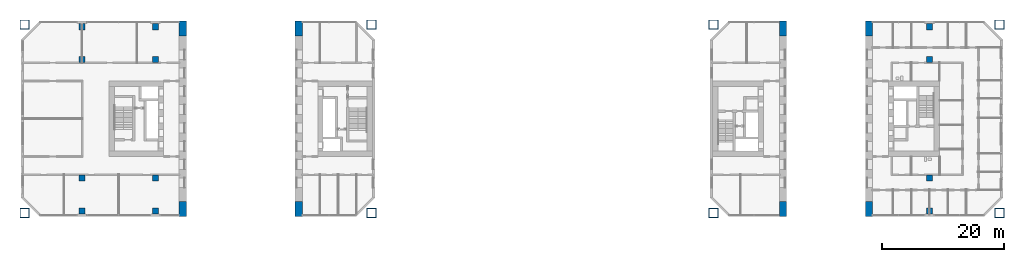
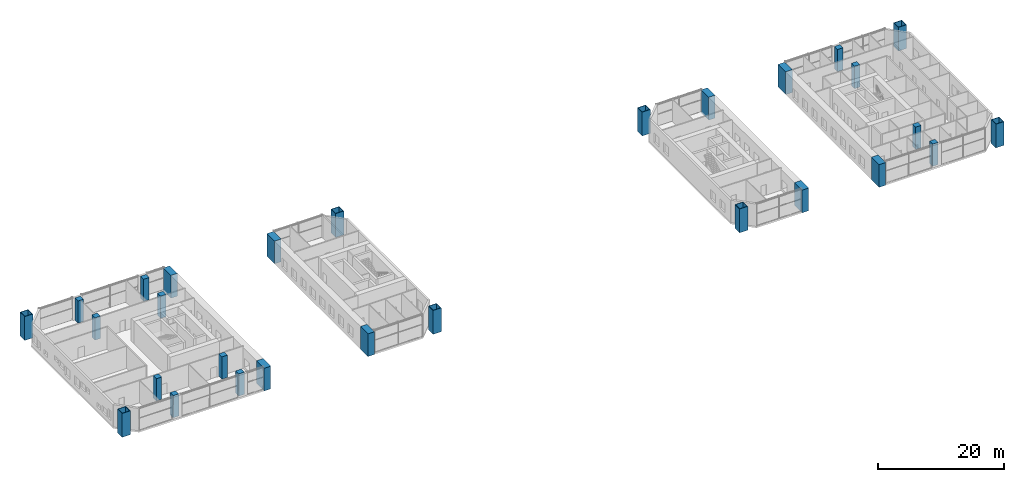
# One storey, part 1 of 19: 28 columns.
"""IFC4 building model written with IfcOpenShell, lengths in metres."""

import ifcopenshell
import ifcopenshell.guid

model = None  # the IFC model being written
_history = None  # IfcOwnerHistory: only IFC2X3 demands one
_inside = {}  # id of a spatial element -> (the spatial element, [elements in it])
_under = {}  # id of a project, library or spatial element -> (it, [spatial elements below it])
_declared = {}  # id of a project -> (the project, [libraries it declares])
_typed = {}  # id of a type object -> (the type object, [elements of that type])
_made_of = {}  # id of a material, layer set ... -> (it, [elements and type objects made of it])


def new_model(schema):
    """Start an empty IFC model of exactly this schema.

    Asked for "IFC4X3", IfcOpenShell would pick the latest addendum, in which some entities
    have other attributes; the version numbers below select the first issue.
    IFC2X3 requires an IfcOwnerHistory on every rooted entity: one is made here for all.
    """
    global model, _history
    if schema == "IFC4X3":
        model = ifcopenshell.file(schema_version=(4, 3, 0, 0))
    else:
        model = ifcopenshell.file(schema=schema)
    _inside.clear()
    _under.clear()
    _declared.clear()
    _typed.clear()
    _made_of.clear()
    _history = None
    if model.schema == "IFC2X3":
        org = make("IfcOrganization", Name="unknown")
        user = make(
            "IfcPersonAndOrganization",
            ThePerson=make("IfcPerson", FamilyName="unknown"),
            TheOrganization=org,
        )
        app = make(
            "IfcApplication",
            ApplicationDeveloper=org,
            Version="unknown",
            ApplicationFullName="unknown",
            ApplicationIdentifier="unknown",
        )
        _history = make(
            "IfcOwnerHistory",
            OwningUser=user,
            OwningApplication=app,
            ChangeAction="ADDED",
            CreationDate=0,
        )
    return model


def make(cls, **values):
    """One entity of the class cls with the attributes given. An attribute that is None is left unset."""
    return model.create_entity(
        cls, **{name: value for name, value in values.items() if value is not None}
    )


def rooted(cls, **values):
    """An entity with a GlobalId (a new one), such as an element, a storey or a relation."""
    return make(cls, GlobalId=ifcopenshell.guid.new(), OwnerHistory=_history, **values)


def si_unit(unit_type, name, prefix=None):
    """IfcSIUnit, for example si_unit("LENGTHUNIT", "METRE", prefix="MILLI")."""
    return make("IfcSIUnit", UnitType=unit_type, Prefix=prefix, Name=name)


def assignment(units):
    """IfcUnitAssignment: the units of a project."""
    return None if units is None else make("IfcUnitAssignment", Units=units)


def point(xyz):
    """IfcCartesianPoint."""
    return None if xyz is None else make("IfcCartesianPoint", Coordinates=xyz)


def direction(xyz):
    """IfcDirection."""
    return None if xyz is None else make("IfcDirection", DirectionRatios=xyz)


def frame(location, z_axis=None, x_axis=None):
    """IfcAxis2Placement3D, a coordinate frame: its origin and axes. An axis left out is left unset."""
    return make(
        "IfcAxis2Placement3D",
        Location=point(location),
        Axis=direction(z_axis),
        RefDirection=direction(x_axis),
    )


def frame_2d(location, x_axis=None):
    """IfcAxis2Placement2D, a coordinate frame in the plane: its origin and x axis."""
    return make(
        "IfcAxis2Placement2D", Location=point(location), RefDirection=direction(x_axis)
    )


def origin():
    """The frame at (0, 0, 0) with its axes left unset."""
    return frame((0.0, 0.0, 0.0))


def origin_2d():
    """The frame at (0, 0) in the plane with its x axis left unset."""
    return frame_2d((0.0, 0.0))


def place(relative_to, where):
    """IfcLocalPlacement: puts the frame where relative to a parent placement (None: the world)."""
    return make(
        "IfcLocalPlacement", PlacementRelTo=relative_to, RelativePlacement=where
    )


def context(
    kind, dimensions, precision=None, world=None, true_north=None, identifier=None
):
    """IfcGeometricRepresentationContext, for example the 3D "Model" context."""
    return make(
        "IfcGeometricRepresentationContext",
        ContextIdentifier=identifier,
        ContextType=kind,
        CoordinateSpaceDimension=dimensions,
        Precision=precision,
        WorldCoordinateSystem=world,
        TrueNorth=true_north,
    )


def subcontext(parent, identifier, kind, view, scale=None):
    """IfcGeometricRepresentationSubContext, for example "Body" below "Model"."""
    return make(
        "IfcGeometricRepresentationSubContext",
        ContextIdentifier=identifier,
        ContextType=kind,
        ParentContext=parent,
        TargetScale=scale,
        TargetView=view,
    )


def project(units=None, contexts=None):
    """IfcProject with its units and contexts."""
    return rooted(
        "IfcProject",
        Name="project",
        RepresentationContexts=contexts,
        UnitsInContext=assignment(units),
    )


def spatial(cls, under=None, at=None, **own):
    """A site, building, storey or space (cls), placed at a placement, below another one or the project."""
    s = rooted(cls, ObjectPlacement=at, **own)
    if under is not None:
        _under.setdefault(under.id(), (under, []))[1].append(s)
    return s


def profile(cls, at=None, kind="AREA", **sizes):
    """A parametric profile (cls). Its sizes go by their IFC names, for example OverallWidth=200.0."""
    return make(cls, ProfileType=kind, Position=at, **sizes)


def rectangle(**sizes):
    """IfcRectangleProfileDef."""
    return profile("IfcRectangleProfileDef", **sizes)


def hollow_rectangle(**sizes):
    """IfcRectangleHollowProfileDef."""
    return profile("IfcRectangleHollowProfileDef", **sizes)


def extrude(swept, where, along, depth):
    """IfcExtrudedAreaSolid: the profile swept, set in the frame where, extruded along a direction by depth."""
    return make(
        "IfcExtrudedAreaSolid",
        SweptArea=swept,
        Position=where,
        ExtrudedDirection=direction(along),
        Depth=depth,
    )


def shape(context_of_items, identifier, shape_type, items):
    """IfcShapeRepresentation: the items that make up one representation, for example the "Body"."""
    return make(
        "IfcShapeRepresentation",
        ContextOfItems=context_of_items,
        RepresentationIdentifier=identifier,
        RepresentationType=shape_type,
        Items=items,
    )


def material(Name=None, Category=None):
    """IfcMaterial."""
    return make("IfcMaterial", Name=Name, Category=Category)


def material_profile(
    of_material, cross_section, Name=None, Category=None, Priority=None
):
    """IfcMaterialProfile: a cross section and its material."""
    return make(
        "IfcMaterialProfile",
        Name=Name,
        Material=of_material,
        Profile=cross_section,
        Priority=Priority,
        Category=Category,
    )


def profile_set(profiles, Name=None, composite=None):
    """IfcMaterialProfileSet."""
    return make(
        "IfcMaterialProfileSet",
        Name=Name,
        MaterialProfiles=profiles,
        CompositeProfile=composite,
    )


def made_of(thing, what):
    """Note that an element or type object is made of a material, layer set ...; save() writes the relation."""
    if what is not None:
        _made_of.setdefault(what.id(), (what, []))[1].append(thing)
    return thing


def type_object(cls, material=None, **own):
    """A type object (cls), such as IfcWallType, which elements share."""
    return made_of(rooted(cls, **own), material)


def element(
    cls,
    number,
    at=None,
    inside=None,
    cuts=None,
    type_object=None,
    material=None,
    context=None,
    identifier="Body",
    shape_type=None,
    held_by="IfcProductDefinitionShape",
    body=None,
    shapes=None,
    **own,
):
    """One element of the class cls, such as IfcWall. Its Tag is "e" and its number.

    at: its placement. inside: the storey or other place that contains it. cuts: it is an
    opening in that element (IfcRelVoidsElement). A single representation is given by context,
    identifier, shape_type and body (its items); several are given by shapes. held_by: the class
    of the entity that holds the representations. save() writes the other relations.
    """
    e = rooted(cls, Tag="e%d" % number, ObjectPlacement=at, **own)
    if body is not None:
        shapes = [shape(context, identifier, shape_type, body)]
    if shapes is not None:
        e.Representation = make(held_by, Representations=shapes)
    if inside is not None:
        _inside.setdefault(inside.id(), (inside, []))[1].append(e)
    if cuts is not None:
        rooted(
            "IfcRelVoidsElement", RelatingBuildingElement=cuts, RelatedOpeningElement=e
        )
    if type_object is not None:
        _typed.setdefault(type_object.id(), (type_object, []))[1].append(e)
    return made_of(e, material)


def aggregate(whole, parts):
    """IfcRelAggregates: a whole, such as a stair, and the parts it consists of."""
    return rooted("IfcRelAggregates", RelatingObject=whole, RelatedObjects=parts)


def save(model, path):
    """Write the relations noted so far, then the file.

    IfcRelAggregates (storeys below a building ...), IfcRelContainedInSpatialStructure (elements
    in a storey), IfcRelDefinesByType, IfcRelAssociatesMaterial and IfcRelDeclares: one each for
    every whole, place, type object, material and project.
    """
    for whole, parts in _under.values():
        aggregate(whole, parts)
    for where, things in _inside.values():
        rooted(
            "IfcRelContainedInSpatialStructure",
            RelatedElements=things,
            RelatingStructure=where,
        )
    for kind, things in _typed.values():
        rooted("IfcRelDefinesByType", RelatedObjects=things, RelatingType=kind)
    for what, things in _made_of.values():
        rooted("IfcRelAssociatesMaterial", RelatedObjects=things, RelatingMaterial=what)
    for by, libraries in _declared.values():
        rooted("IfcRelDeclares", RelatingContext=by, RelatedDefinitions=libraries)
    model.write(path)


model = new_model("IFC4")

# Units and contexts
model_context = context("Model", 3, precision=1e-05, world=origin(), true_north=direction((0.0, 1.0)))
body_context = subcontext(model_context, "Body", "Model", "MODEL_VIEW")
ifc_project = project(units=[si_unit("LENGTHUNIT", "METRE"), si_unit("AREAUNIT", "SQUARE_METRE"), si_unit("VOLUMEUNIT", "CUBIC_METRE"), si_unit("PLANEANGLEUNIT", "RADIAN"), si_unit("MASSUNIT", "GRAM", prefix="KILO")], contexts=[model_context])

# Site, building, storey
site_placement = place(None, origin())
site = spatial("IfcSite", under=ifc_project, at=site_placement, CompositionType="ELEMENT")
building_placement = place(site_placement, origin())
building = spatial("IfcBuilding", under=site, at=building_placement, Name="Tuart Gate Housing", CompositionType="ELEMENT")
storey_placement = place(building_placement, frame((0.0, 0.0, 10.10009765625)))
storey = spatial("IfcBuildingStorey", under=building, at=storey_placement, Name="L02", CompositionType="ELEMENT", Elevation=10.10009765625)

# Columns
ifc_material_1 = material(Name="Steel Grade 350", Category="steel")
ifc_material_profile_1 = material_profile(ifc_material_1, hollow_rectangle(XDim=1.5, YDim=1.5, WallThickness=0.080078125, at=origin_2d()), Name="BOX 1500x1500x80")
ifc_profile_set_1 = profile_set([ifc_material_profile_1], Name="Steel Grade 350")
column_type_1 = type_object("IfcColumnType", Name="Mega column BOX 1500x1500x80 (4.6-5.8 m)", PredefinedType="COLUMN", material=ifc_profile_set_1)
for number, where, z_axis, x_axis, name in (
    (1, (18.550048828125, 54.550048828125, 0.0), (0.0, 0.0, 1.0), (1.0, 0.0, 0.0), "Mega column A south-west L02"),
    (2, (75.449951171875, 54.550048828125, 0.0), (0.0, 0.0, 1.0), (1.0, 0.0, 0.0), "Mega column A south-east L02"),
    (3, (75.449951171875, 85.449951171875, 0.0), (0.0, 0.0, 1.0), (1.0, 0.0, 0.0), "Mega column A north-east L02"),
    (4, (18.550048828125, 85.449951171875, 0.0), (0.0, 0.0, 1.0), (1.0, 0.0, 0.0), "Mega column A north-west L02"),
    (5, (131.550048828125, 54.550048828125, 0.0), (0.0, 0.0, 1.0), (1.0, 0.0, 0.0), "Mega column B south-west L02"),
    (6, (178.449951171875, 54.550048828125, 0.0), (0.0, 0.0, 1.0), (1.0, 0.0, 0.0), "Mega column B south-east L02"),
    (7, (178.449951171875, 85.449951171875, 0.0), (0.0, 0.0, 1.0), (1.0, 0.0, 0.0), "Mega column B north-east L02"),
    (8, (131.550048828125, 85.449951171875, 0.0), (0.0, 0.0, 1.0), (1.0, 0.0, 0.0), "Mega column B north-west L02"),
):
    element("IfcColumn", number, at=place(storey_placement, frame(where, z_axis=z_axis, x_axis=x_axis)), inside=storey, type_object=column_type_1, Name=name, PredefinedType="COLUMN", context=body_context, shape_type="SweptSolid", body=[
        extrude(hollow_rectangle(XDim=1.5, YDim=1.5, WallThickness=0.080078125, at=origin_2d()), origin(), (0.0, 0.0, 1.0), 4.599853515625),
    ])
ifc_material_2 = material(Name="Concrete C50", Category="concrete")
ifc_material_profile_2 = material_profile(ifc_material_2, rectangle(XDim=1.0, YDim=1.0, at=origin_2d()), Name="RC column 1000 x 1000")
ifc_profile_set_2 = profile_set([ifc_material_profile_2], Name="Concrete C50")
column_type_2 = type_object("IfcColumnType", Name="RC column 1000 x 1000", PredefinedType="COLUMN", material=ifc_profile_set_2)
for number, where, z_axis, x_axis, name in (
    (9, (28.0, 54.89990234375, 0.0), (0.0, 0.0, 1.0), (1.0, 0.0, 0.0), "RC column 2 L02"),
    (10, (28.0, 60.300048828125, 0.0), (0.0, 0.0, 1.0), (1.0, 0.0, 0.0), "RC column 3 L02"),
    (11, (28.0, 79.699951171875, 0.0), (0.0, 0.0, 1.0), (1.0, 0.0, 0.0), "RC column 6 L02"),
    (12, (28.0, 85.10009765625, 0.0), (0.0, 0.0, 1.0), (1.0, 0.0, 0.0), "RC column 7 L02"),
    (13, (40.0, 54.89990234375, 0.0), (0.0, 0.0, 1.0), (1.0, 0.0, 0.0), "RC column 10 L02"),
    (14, (40.0, 60.300048828125, 0.0), (0.0, 0.0, 1.0), (1.0, 0.0, 0.0), "RC column 11 L02"),
    (15, (40.0, 79.699951171875, 0.0), (0.0, 0.0, 1.0), (1.0, 0.0, 0.0), "RC column 14 L02"),
    (16, (40.0, 85.10009765625, 0.0), (0.0, 0.0, 1.0), (1.0, 0.0, 0.0), "RC column 15 L02"),
    (17, (167.0, 54.89990234375, 0.0), (0.0, 0.0, 1.0), (1.0, 0.0, 0.0), "RC column 34 L02"),
    (18, (167.0, 60.300048828125, 0.0), (0.0, 0.0, 1.0), (1.0, 0.0, 0.0), "RC column 35 L02"),
    (19, (167.0, 79.699951171875, 0.0), (0.0, 0.0, 1.0), (1.0, 0.0, 0.0), "RC column 38 L02"),
    (20, (167.0, 85.10009765625, 0.0), (0.0, 0.0, 1.0), (1.0, 0.0, 0.0), "RC column 39 L02"),
):
    element("IfcColumn", number, at=place(storey_placement, frame(where, z_axis=z_axis, x_axis=x_axis)), inside=storey, type_object=column_type_2, Name=name, PredefinedType="COLUMN", context=body_context, shape_type="SweptSolid", body=[
        extrude(rectangle(XDim=1.0, YDim=1.0, at=origin_2d()), origin(), (0.0, 0.0, 1.0), 4.2998046875),
    ])
ifc_material_3 = material(Name="Concrete C50", Category="concrete")
ifc_material_profile_3 = material_profile(ifc_material_3, rectangle(XDim=1.199951171875, YDim=2.39990234375, at=origin_2d()), Name="RC jamb 1200 x 2400")
ifc_profile_set_3 = profile_set([ifc_material_profile_3], Name="Concrete C50")
column_type_3 = type_object("IfcColumnType", Name="RC jamb 1200 x 2400", PredefinedType="COLUMN", material=ifc_profile_set_3)
for number, where, z_axis, x_axis, name in (
    (21, (44.5, 55.199951171875, -0.300048828125), (0.0, 0.0, 1.0), (1.0, 0.0, 0.0), "Pier south jamb column AW L02"),
    (22, (44.5, 84.800048828125, -0.300048828125), (0.0, 0.0, 1.0), (1.0, 0.0, 0.0), "Pier north jamb column AW L02"),
    (23, (63.5, 55.199951171875, -0.300048828125), (0.0, 0.0, 1.0), (1.0, 0.0, 0.0), "Pier south jamb column AE L02"),
    (24, (63.5, 84.800048828125, -0.300048828125), (0.0, 0.0, 1.0), (1.0, 0.0, 0.0), "Pier north jamb column AE L02"),
    (25, (142.949951171875, 55.199951171875, -0.300048828125), (0.0, 0.0, 1.0), (1.0, 0.0, 0.0), "Pier south jamb column BW L02"),
    (26, (142.949951171875, 84.800048828125, -0.300048828125), (0.0, 0.0, 1.0), (1.0, 0.0, 0.0), "Pier north jamb column BW L02"),
    (27, (157.050048828125, 55.199951171875, -0.300048828125), (0.0, 0.0, 1.0), (1.0, 0.0, 0.0), "Pier south jamb column BE L02"),
    (28, (157.050048828125, 84.800048828125, -0.300048828125), (0.0, 0.0, 1.0), (1.0, 0.0, 0.0), "Pier north jamb column BE L02"),
):
    element("IfcColumn", number, at=place(storey_placement, frame(where, z_axis=z_axis, x_axis=x_axis)), inside=storey, type_object=column_type_3, Name=name, PredefinedType="COLUMN", context=body_context, shape_type="SweptSolid", body=[
        extrude(rectangle(XDim=1.199951171875, YDim=2.39990234375, at=origin_2d()), origin(), (0.0, 0.0, 1.0), 4.39990234375),
    ])

save(model, "model.ifc")
